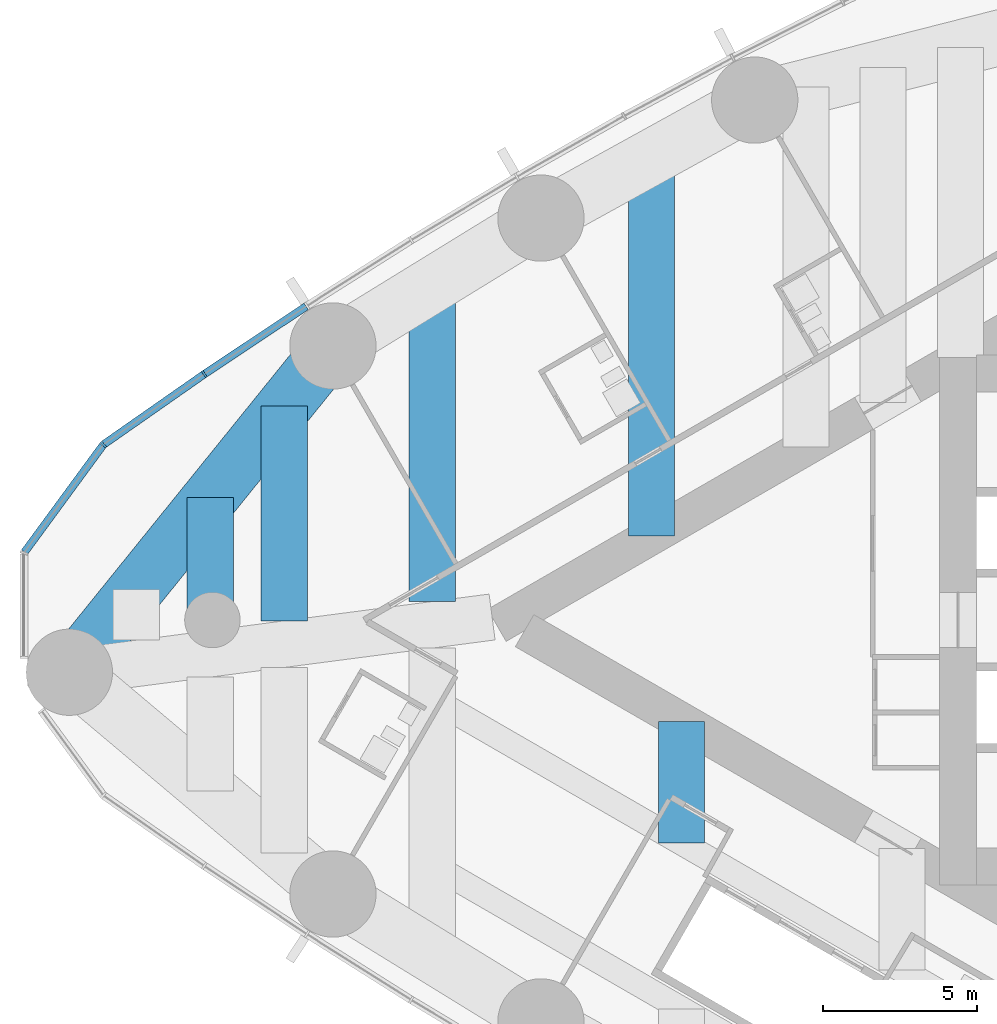
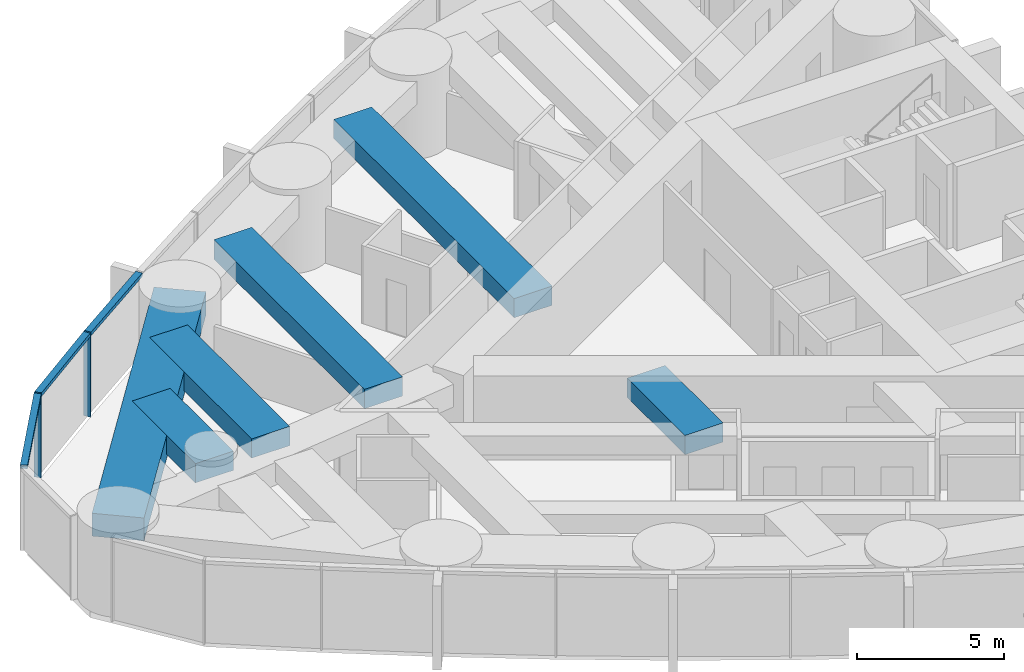
# One storey, part 3 of 19: 6 beams, 5 members, 1 element without a shape of its own.
"""IFC4 building model written with IfcOpenShell, lengths in metres."""

from ifc_helpers import new_model, si_unit, direction, frame, origin, origin_2d, place, context, subcontext, project, spatial, rectangle, extrude, material, material_profile, profile_set, type_object, element, aggregate, save


model = new_model("IFC4")

# Units and contexts
model_context = context("Model", 3, precision=1e-05, world=origin(), true_north=direction((0.0, 1.0)))
body_context = subcontext(model_context, "Body", "Model", "MODEL_VIEW")
ifc_project = project(units=[si_unit("LENGTHUNIT", "METRE"), si_unit("AREAUNIT", "SQUARE_METRE"), si_unit("VOLUMEUNIT", "CUBIC_METRE"), si_unit("PLANEANGLEUNIT", "RADIAN"), si_unit("MASSUNIT", "GRAM", prefix="KILO")], contexts=[model_context])

# Site, building, storey
site_placement = place(None, origin())
site = spatial("IfcSite", under=ifc_project, at=site_placement, CompositionType="ELEMENT")
building_placement = place(site_placement, origin())
building = spatial("IfcBuilding", under=site, at=building_placement, Name="Lancet Gate Hotel", CompositionType="ELEMENT")
storey_placement = place(building_placement, frame((0.0, 0.0, 194.800048828125)))
storey = spatial("IfcBuildingStorey", under=building, at=storey_placement, Name="L52", CompositionType="ELEMENT", Elevation=194.800048828125)

# Curtain wall, members
ifc_material_1 = material(Name="Aluminium curtain wall", Category="aluminium")
curtain_wall_type = type_object("IfcCurtainWallType", Name="Tower unitised curtain wall", PredefinedType="USERDEFINED", material=ifc_material_1)
curtain_wall_placement = place(storey_placement, origin())
curtain_wall = element("IfcCurtainWall", 1, at=curtain_wall_placement, inside=storey, type_object=curtain_wall_type, Name="T1 L52 curtain wall 2", ObjectType="UNITISED CURTAIN WALL", PredefinedType="USERDEFINED")
ifc_material_2 = material(Name="Aluminium mullion", Category="aluminium")
ifc_material_profile_1 = material_profile(ifc_material_2, rectangle(XDim=0.06494140625, YDim=0.25, at=origin_2d()), Name="MULLION 65x250")
ifc_profile_set_1 = profile_set([ifc_material_profile_1], Name="Aluminium mullion")
member_type_1 = type_object("IfcMemberType", Name="Aluminium mullion 65x250", PredefinedType="MULLION", material=ifc_profile_set_1)
member_1_placement = place(storey_placement, frame((-61.7626953125, 7.980712890625, 0.0), z_axis=(0.0, 0.0, 1.0), x_axis=(-0.826312172542, -0.563212387568, 0.0)))
member_1 = element("IfcMember", 2, at=member_1_placement, type_object=member_type_1, Name="T1 L52 curtain wall 2 mullion 10", PredefinedType="MULLION", context=body_context, shape_type="SweptSolid", body=[
    extrude(rectangle(XDim=0.06494140625, YDim=0.25, at=origin_2d()), origin(), (0.0, 0.0, 1.0), 3.5),
])
member_2_placement = place(storey_placement, frame((-65.040283203125, 5.68994140625, 0.0), z_axis=(0.0, 0.0, 1.0), x_axis=(-0.710112861968, -0.704087866155, 0.0)))
member_2 = element("IfcMember", 3, at=member_2_placement, type_object=member_type_1, Name="T1 L52 curtain wall 2 mullion 11", PredefinedType="MULLION", context=body_context, shape_type="SweptSolid", body=[
    extrude(rectangle(XDim=0.06494140625, YDim=0.25, at=origin_2d()), origin(), (0.0, 0.0, 1.0), 3.5),
])
ifc_material_3 = material(Name="Aluminium transom", Category="aluminium")
ifc_material_profile_2 = material_profile(ifc_material_3, rectangle(XDim=0.25, YDim=0.14990234375, at=origin_2d()), Name="TRANSOM 250x150")
ifc_profile_set_2 = profile_set([ifc_material_profile_2], Name="Aluminium transom")
member_type_2 = type_object("IfcMemberType", Name="Aluminium transom 250x150", PredefinedType="USERDEFINED", material=ifc_profile_set_2)
member_3_placement = place(storey_placement, frame((-58.459228515625, 10.176025390625, 3.425048828125), z_axis=(-0.832870509189, -0.553467898729, 0.0), x_axis=(0.553467898729, -0.832870509189, 0.0)))
member_3 = element("IfcMember", 4, at=member_3_placement, type_object=member_type_2, Name="T1 L52 curtain wall 2 transom 9", ObjectType="TRANSOM", PredefinedType="USERDEFINED", context=body_context, shape_type="SweptSolid", body=[
    extrude(rectangle(XDim=0.25, YDim=0.14990234375, at=origin_2d()), origin(), (0.0, 0.0, 1.0), 3.933837890625),
])
member_4_placement = place(storey_placement, frame((-61.789306640625, 7.962158203125, 3.425048828125), z_axis=(-0.819636985462, -0.572883244704, 0.0), x_axis=(0.572883244704, -0.819636985462, 0.0)))
member_4 = element("IfcMember", 5, at=member_4_placement, type_object=member_type_2, Name="T1 L52 curtain wall 2 transom 10", ObjectType="TRANSOM", PredefinedType="USERDEFINED", context=body_context, shape_type="SweptSolid", body=[
    extrude(rectangle(XDim=0.25, YDim=0.14990234375, at=origin_2d()), origin(), (0.0, 0.0, 1.0), 3.933837890625),
])
member_5_placement = place(storey_placement, frame((-65.0595703125, 5.66357421875, 3.425048828125), z_axis=(-0.591324189618, -0.806433941977, 0.0), x_axis=(0.806433941977, -0.591324189618, 0.0)))
member_5 = element("IfcMember", 6, at=member_5_placement, type_object=member_type_2, Name="T1 L52 curtain wall 2 transom 11", ObjectType="TRANSOM", PredefinedType="USERDEFINED", context=body_context, shape_type="SweptSolid", body=[
    extrude(rectangle(XDim=0.25, YDim=0.14990234375, at=origin_2d()), origin(), (0.0, 0.0, 1.0), 4.2900390625),
])
aggregate(curtain_wall, [member_1, member_2, member_3, member_4, member_5])

# Beams
ifc_material_4 = material(Name="Concrete C50/60", Category="concrete")
ifc_material_profile_3 = material_profile(ifc_material_4, rectangle(XDim=1.800048828125, YDim=0.949951171875, at=origin_2d()), Name="RC 1800x950")
ifc_profile_set_3 = profile_set([ifc_material_profile_3], Name="Concrete C50/60")
beam_type_1 = type_object("IfcBeamType", Name="Edge beam RC 1800x950", PredefinedType="SPANDREL", material=ifc_profile_set_3)
beam_1_placement = place(storey_placement, frame((-57.589599609375, 8.89306640625, 2.77490234375), z_axis=(-0.628373846765, -0.777911504416, 0.0), x_axis=(0.777911504416, -0.628373846765, 0.0)))
element("IfcBeam", 7, at=beam_1_placement, inside=storey, type_object=beam_type_1, Name="T1 edge beam EB1 L52", PredefinedType="SPANDREL", context=body_context, shape_type="SweptSolid", body=[
    extrude(rectangle(XDim=1.800048828125, YDim=0.949951171875, at=origin_2d()), origin(), (0.0, 0.0, 1.0), 13.611328125),
])
ifc_material_5 = material(Name="Concrete C50/60", Category="concrete")
ifc_material_profile_4 = material_profile(ifc_material_5, rectangle(XDim=1.5, YDim=0.800048828125, at=origin_2d()), Name="RC 1500x800")
ifc_profile_set_4 = profile_set([ifc_material_profile_4], Name="Concrete C50/60")
beam_type_2 = type_object("IfcBeamType", Name="Floor beam RC 1500x800", PredefinedType="BEAM", material=ifc_profile_set_4)
beam_2_placement = place(storey_placement, frame((-47.254638671875, 15.020751953125, 2.849853515625), z_axis=(0.0, -1.0, 0.0), x_axis=(1.0, 0.0, 0.0)))
element("IfcBeam", 8, at=beam_2_placement, inside=storey, type_object=beam_type_2, Name="T1 floor beam F09S L52", PredefinedType="BEAM", context=body_context, shape_type="SweptSolid", body=[
    extrude(rectangle(XDim=1.5, YDim=0.800048828125, at=origin_2d()), origin(), (0.0, 0.0, 1.0), 12.29931640625),
])
beam_3_placement = place(storey_placement, frame((-54.3681640625, 10.87353515625, 2.849853515625), z_axis=(0.0, -1.0, 0.0), x_axis=(1.0, 0.0, 0.0)))
element("IfcBeam", 9, at=beam_3_placement, inside=storey, type_object=beam_type_2, Name="T1 floor beam F10S L52", PredefinedType="BEAM", context=body_context, shape_type="SweptSolid", body=[
    extrude(rectangle(XDim=1.5, YDim=0.800048828125, at=origin_2d()), origin(), (0.0, 0.0, 1.0), 10.27392578125),
])
beam_4_placement = place(storey_placement, frame((-59.168212890625, 6.938720703125, 2.849853515625), z_axis=(0.0, -1.0, 0.0), x_axis=(1.0, 0.0, 0.0)))
element("IfcBeam", 10, at=beam_4_placement, inside=storey, type_object=beam_type_2, Name="T1 floor beam F12S L52", PredefinedType="BEAM", context=body_context, shape_type="SweptSolid", body=[
    extrude(rectangle(XDim=1.5, YDim=0.800048828125, at=origin_2d()), origin(), (0.0, 0.0, 1.0), 6.96630859375),
])
beam_5_placement = place(storey_placement, frame((-61.568359375, 3.967529296875, 2.849853515625), z_axis=(0.0, -1.0, 0.0), x_axis=(1.0, 0.0, 0.0)))
element("IfcBeam", 11, at=beam_5_placement, inside=storey, type_object=beam_type_2, Name="T1 floor beam F14S L52", PredefinedType="BEAM", context=body_context, shape_type="SweptSolid", body=[
    extrude(rectangle(XDim=1.5, YDim=0.800048828125, at=origin_2d()), origin(), (0.0, 0.0, 1.0), 4.308837890625),
])
beam_6_placement = place(storey_placement, frame((-46.27587890625, -3.28662109375, 2.849853515625), z_axis=(0.0, -1.0, 0.0), x_axis=(1.0, 0.0, 0.0)))
element("IfcBeam", 12, at=beam_6_placement, inside=storey, type_object=beam_type_2, Name="T1 floor beam F08NA L52", PredefinedType="BEAM", context=body_context, shape_type="SweptSolid", body=[
    extrude(rectangle(XDim=1.5, YDim=0.800048828125, at=origin_2d()), origin(), (0.0, 0.0, 1.0), 3.945556640625),
])

save(model, "model.ifc")
